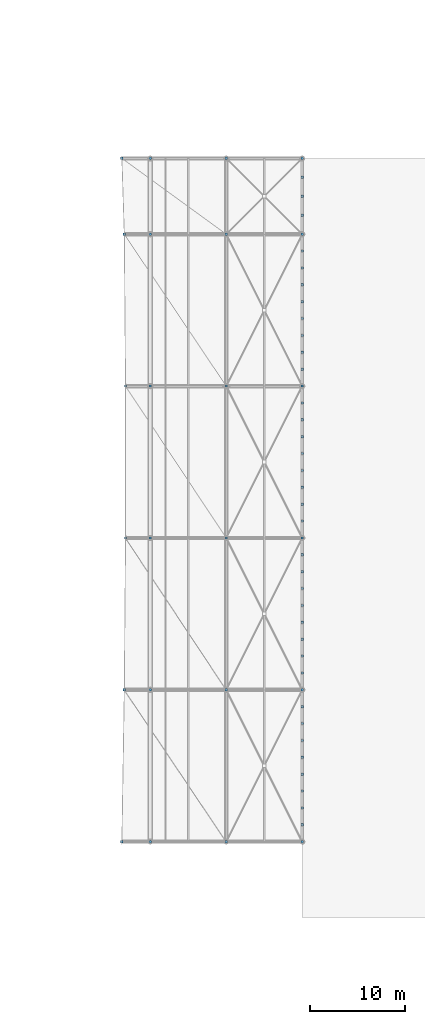
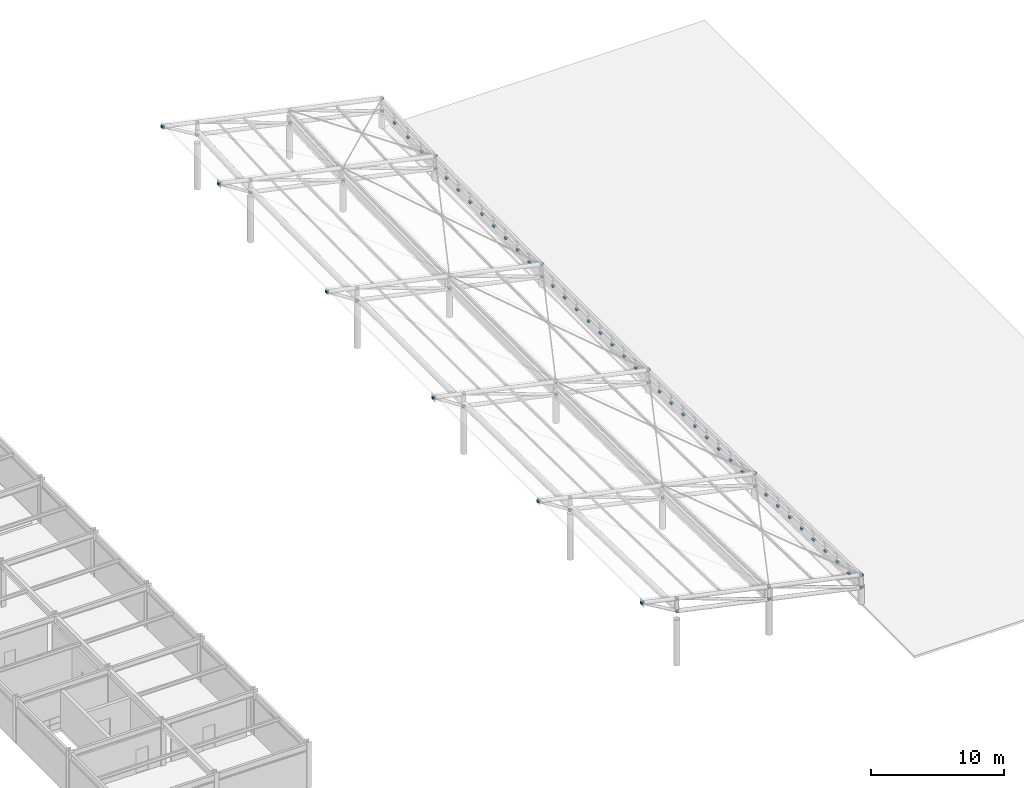
# One storey, part 49 of 54: 77 discrete accessories.
"""IFC4 building model written with IfcOpenShell, lengths in metres."""

from ifc_helpers import new_model, si_unit, direction, frame, origin, origin_2d, place, context, subcontext, project, spatial, rectangle, extrude, material, layer, layer_set, type_object, element, save


model = new_model("IFC4")

# Units and contexts
model_context = context("Model", 3, precision=1e-05, world=origin(), true_north=direction((0.0, 1.0)))
body_context = subcontext(model_context, "Body", "Model", "MODEL_VIEW")
ifc_project = project(units=[si_unit("LENGTHUNIT", "METRE"), si_unit("AREAUNIT", "SQUARE_METRE"), si_unit("VOLUMEUNIT", "CUBIC_METRE"), si_unit("PLANEANGLEUNIT", "RADIAN"), si_unit("MASSUNIT", "GRAM", prefix="KILO")], contexts=[model_context])

# Site, building, storey
site_placement = place(None, origin())
site = spatial("IfcSite", under=ifc_project, at=site_placement, CompositionType="ELEMENT")
building_placement = place(site_placement, origin())
building = spatial("IfcBuilding", under=site, at=building_placement, Name="Haebicheon Civic Stadium", CompositionType="ELEMENT")
storey_placement = place(building_placement, frame((0.0, 0.0, 22.800048828125)))
storey = spatial("IfcBuildingStorey", under=building, at=storey_placement, Name="L06", CompositionType="ELEMENT", Elevation=22.800048828125)

# Discrete accessories
ifc_material = material(Name="White painted steel SM490", Category="steel")
ifc_layer = layer(ifc_material, 0.179931640625, Name="White painted steel SM490")
ifc_layer_set = layer_set([ifc_layer], Name="White painted steel SM490")
discrete_accessory_type = type_object("IfcDiscreteAccessoryType", Name="BRK-END-PLT", PredefinedType="BRACKET", material=ifc_layer_set)
for number, where, z_axis, x_axis, name in (
    (1, (208.0, 56.0, 1.3720703125), (0.0, 0.0, 1.0), (1.0, 0.0, 0.0), "CAN-COMM truss 1 node bolted end connection plate"),
    (2, (208.0, 56.0, 2.52197265625), (0.0, 0.0, 1.0), (1.0, 0.0, 0.0), "CAN-COMM truss 1 node bolted end connection plate"),
    (3, (200.0, 56.0, 3.091796875), (0.0, 0.0, 1.0), (1.0, 0.0, 0.0), "CAN-COMM truss 1 node bolted end connection plate"),
    (4, (200.0, 56.0, 4.2421875), (0.0, 0.0, 1.0), (1.0, 0.0, 0.0), "CAN-COMM truss 1 node bolted end connection plate"),
    (5, (192.0, 56.0, 4.81201171875), (0.0, 0.0, 1.0), (1.0, 0.0, 0.0), "CAN-COMM truss 1 node bolted end connection plate"),
    (6, (192.0, 56.0, 5.9619140625), (0.0, 0.0, 1.0), (1.0, 0.0, 0.0), "CAN-COMM truss 1 node bolted end connection plate"),
    (7, (189.0, 56.0, 6.60693359375), (0.0, 0.0, 1.0), (1.0, 0.0, 0.0), "CAN-COMM truss 1 node bolted end connection plate"),
    (8, (208.0, 72.0, 0.9501953125), (0.0, 0.0, 1.0), (1.0, 0.0, 0.0), "CAN-COMM truss 2 node bolted end connection plate"),
    (9, (208.0, 72.0, 2.10009765625), (0.0, 0.0, 1.0), (1.0, 0.0, 0.0), "CAN-COMM truss 2 node bolted end connection plate"),
    (10, (200.0, 72.0, 2.669921875), (0.0, 0.0, 1.0), (1.0, 0.0, 0.0), "CAN-COMM truss 2 node bolted end connection plate"),
    (11, (200.0, 72.0, 3.81982421875), (0.0, 0.0, 1.0), (1.0, 0.0, 0.0), "CAN-COMM truss 2 node bolted end connection plate"),
    (12, (192.0, 72.0, 4.39013671875), (0.0, 0.0, 1.0), (1.0, 0.0, 0.0), "CAN-COMM truss 2 node bolted end connection plate"),
    (13, (192.0, 72.0, 5.5400390625), (0.0, 0.0, 1.0), (1.0, 0.0, 0.0), "CAN-COMM truss 2 node bolted end connection plate"),
    (14, (189.256103515625, 72.0, 6.1298828125), (0.0, 0.0, 1.0), (1.0, 0.0, 0.0), "CAN-COMM truss 2 node bolted end connection plate"),
    (15, (208.0, 88.0, 0.73779296875), (0.0, 0.0, 1.0), (1.0, 0.0, 0.0), "CAN-COMM truss 3 node bolted end connection plate"),
    (16, (208.0, 88.0, 1.88818359375), (0.0, 0.0, 1.0), (1.0, 0.0, 0.0), "CAN-COMM truss 3 node bolted end connection plate"),
    (17, (200.0, 88.0, 2.4580078125), (0.0, 0.0, 1.0), (1.0, 0.0, 0.0), "CAN-COMM truss 3 node bolted end connection plate"),
    (18, (200.0, 88.0, 3.60791015625), (0.0, 0.0, 1.0), (1.0, 0.0, 0.0), "CAN-COMM truss 3 node bolted end connection plate"),
    (19, (192.0, 88.0, 4.17822265625), (0.0, 0.0, 1.0), (1.0, 0.0, 0.0), "CAN-COMM truss 3 node bolted end connection plate"),
    (20, (192.0, 88.0, 5.328125), (0.0, 0.0, 1.0), (1.0, 0.0, 0.0), "CAN-COMM truss 3 node bolted end connection plate"),
    (21, (189.384033203125, 88.0, 5.89013671875), (0.0, 0.0, 1.0), (1.0, 0.0, 0.0), "CAN-COMM truss 3 node bolted end connection plate"),
    (22, (208.0, 104.0, 0.73779296875), (0.0, 0.0, 1.0), (1.0, 0.0, 0.0), "CAN-COMM truss 4 node bolted end connection plate"),
    (23, (208.0, 104.0, 1.88818359375), (0.0, 0.0, 1.0), (1.0, 0.0, 0.0), "CAN-COMM truss 4 node bolted end connection plate"),
    (24, (200.0, 104.0, 2.4580078125), (0.0, 0.0, 1.0), (1.0, 0.0, 0.0), "CAN-COMM truss 4 node bolted end connection plate"),
    (25, (200.0, 104.0, 3.60791015625), (0.0, 0.0, 1.0), (1.0, 0.0, 0.0), "CAN-COMM truss 4 node bolted end connection plate"),
    (26, (192.0, 104.0, 4.17822265625), (0.0, 0.0, 1.0), (1.0, 0.0, 0.0), "CAN-COMM truss 4 node bolted end connection plate"),
    (27, (192.0, 104.0, 5.328125), (0.0, 0.0, 1.0), (1.0, 0.0, 0.0), "CAN-COMM truss 4 node bolted end connection plate"),
    (28, (189.384033203125, 104.0, 5.89013671875), (0.0, 0.0, 1.0), (1.0, 0.0, 0.0), "CAN-COMM truss 4 node bolted end connection plate"),
    (29, (208.0, 120.0, 0.9501953125), (0.0, 0.0, 1.0), (1.0, 0.0, 0.0), "CAN-COMM truss 5 node bolted end connection plate"),
    (30, (208.0, 120.0, 2.10009765625), (0.0, 0.0, 1.0), (1.0, 0.0, 0.0), "CAN-COMM truss 5 node bolted end connection plate"),
    (31, (200.0, 120.0, 2.669921875), (0.0, 0.0, 1.0), (1.0, 0.0, 0.0), "CAN-COMM truss 5 node bolted end connection plate"),
    (32, (200.0, 120.0, 3.81982421875), (0.0, 0.0, 1.0), (1.0, 0.0, 0.0), "CAN-COMM truss 5 node bolted end connection plate"),
    (33, (192.0, 120.0, 4.39013671875), (0.0, 0.0, 1.0), (1.0, 0.0, 0.0), "CAN-COMM truss 5 node bolted end connection plate"),
    (34, (192.0, 120.0, 5.5400390625), (0.0, 0.0, 1.0), (1.0, 0.0, 0.0), "CAN-COMM truss 5 node bolted end connection plate"),
    (35, (189.256103515625, 120.0, 6.1298828125), (0.0, 0.0, 1.0), (1.0, 0.0, 0.0), "CAN-COMM truss 5 node bolted end connection plate"),
    (36, (208.0, 128.0, 1.3720703125), (0.0, 0.0, 1.0), (1.0, 0.0, 0.0), "CAN-COMM truss 6 node bolted end connection plate"),
    (37, (208.0, 128.0, 2.52197265625), (0.0, 0.0, 1.0), (1.0, 0.0, 0.0), "CAN-COMM truss 6 node bolted end connection plate"),
    (38, (200.0, 128.0, 3.091796875), (0.0, 0.0, 1.0), (1.0, 0.0, 0.0), "CAN-COMM truss 6 node bolted end connection plate"),
    (39, (200.0, 128.0, 4.2421875), (0.0, 0.0, 1.0), (1.0, 0.0, 0.0), "CAN-COMM truss 6 node bolted end connection plate"),
    (40, (192.0, 128.0, 4.81201171875), (0.0, 0.0, 1.0), (1.0, 0.0, 0.0), "CAN-COMM truss 6 node bolted end connection plate"),
    (41, (192.0, 128.0, 5.9619140625), (0.0, 0.0, 1.0), (1.0, 0.0, 0.0), "CAN-COMM truss 6 node bolted end connection plate"),
    (42, (189.0, 128.0, 6.60693359375), (0.0, 0.0, 1.0), (1.0, 0.0, 0.0), "CAN-COMM truss 6 node bolted end connection plate"),
    (43, (208.0, 57.778076171875, 1.5751953125), (0.0, 0.0, 1.0), (1.0, 0.0, 0.0), "CAN-COMM hanger base 1.1 bolted end connection plate"),
    (44, (208.0, 59.555908203125, 1.52783203125), (0.0, 0.0, 1.0), (1.0, 0.0, 0.0), "CAN-COMM hanger base 1.2 bolted end connection plate"),
    (45, (208.0, 61.3330078125, 1.48095703125), (0.0, 0.0, 1.0), (1.0, 0.0, 0.0), "CAN-COMM hanger base 1.3 bolted end connection plate"),
    (46, (208.0, 63.111083984375, 1.43408203125), (0.0, 0.0, 1.0), (1.0, 0.0, 0.0), "CAN-COMM hanger base 1.4 bolted end connection plate"),
    (47, (208.0, 64.888916015625, 1.38818359375), (0.0, 0.0, 1.0), (1.0, 0.0, 0.0), "CAN-COMM hanger base 1.5 bolted end connection plate"),
    (48, (208.0, 66.6669921875, 1.3408203125), (0.0, 0.0, 1.0), (1.0, 0.0, 0.0), "CAN-COMM hanger base 1.6 bolted end connection plate"),
    (49, (208.0, 68.444091796875, 1.2939453125), (0.0, 0.0, 1.0), (1.0, 0.0, 0.0), "CAN-COMM hanger base 1.7 bolted end connection plate"),
    (50, (208.0, 70.221923828125, 1.2470703125), (0.0, 0.0, 1.0), (1.0, 0.0, 0.0), "CAN-COMM hanger base 1.8 bolted end connection plate"),
    (51, (208.0, 73.778076171875, 1.17578125), (0.0, 0.0, 1.0), (1.0, 0.0, 0.0), "CAN-COMM hanger base 2.1 bolted end connection plate"),
    (52, (208.0, 75.555908203125, 1.15283203125), (0.0, 0.0, 1.0), (1.0, 0.0, 0.0), "CAN-COMM hanger base 2.2 bolted end connection plate"),
    (53, (208.0, 77.3330078125, 1.12890625), (0.0, 0.0, 1.0), (1.0, 0.0, 0.0), "CAN-COMM hanger base 2.3 bolted end connection plate"),
    (54, (208.0, 79.111083984375, 1.10595703125), (0.0, 0.0, 1.0), (1.0, 0.0, 0.0), "CAN-COMM hanger base 2.4 bolted end connection plate"),
    (55, (208.0, 80.888916015625, 1.08203125), (0.0, 0.0, 1.0), (1.0, 0.0, 0.0), "CAN-COMM hanger base 2.5 bolted end connection plate"),
    (56, (208.0, 82.6669921875, 1.05908203125), (0.0, 0.0, 1.0), (1.0, 0.0, 0.0), "CAN-COMM hanger base 2.6 bolted end connection plate"),
    (57, (208.0, 84.444091796875, 1.03515625), (0.0, 0.0, 1.0), (1.0, 0.0, 0.0), "CAN-COMM hanger base 2.7 bolted end connection plate"),
    (58, (208.0, 86.221923828125, 1.01220703125), (0.0, 0.0, 1.0), (1.0, 0.0, 0.0), "CAN-COMM hanger base 2.8 bolted end connection plate"),
    (59, (208.0, 89.778076171875, 0.98779296875), (0.0, 0.0, 1.0), (1.0, 0.0, 0.0), "CAN-COMM hanger base 3.1 bolted end connection plate"),
    (60, (208.0, 91.555908203125, 0.98779296875), (0.0, 0.0, 1.0), (1.0, 0.0, 0.0), "CAN-COMM hanger base 3.2 bolted end connection plate"),
    (61, (208.0, 93.3330078125, 0.98779296875), (0.0, 0.0, 1.0), (1.0, 0.0, 0.0), "CAN-COMM hanger base 3.3 bolted end connection plate"),
    (62, (208.0, 95.111083984375, 0.98779296875), (0.0, 0.0, 1.0), (1.0, 0.0, 0.0), "CAN-COMM hanger base 3.4 bolted end connection plate"),
    (63, (208.0, 96.888916015625, 0.98779296875), (0.0, 0.0, 1.0), (1.0, 0.0, 0.0), "CAN-COMM hanger base 3.5 bolted end connection plate"),
    (64, (208.0, 98.6669921875, 0.98779296875), (0.0, 0.0, 1.0), (1.0, 0.0, 0.0), "CAN-COMM hanger base 3.6 bolted end connection plate"),
    (65, (208.0, 100.444091796875, 0.98779296875), (0.0, 0.0, 1.0), (1.0, 0.0, 0.0), "CAN-COMM hanger base 3.7 bolted end connection plate"),
    (66, (208.0, 102.221923828125, 0.98779296875), (0.0, 0.0, 1.0), (1.0, 0.0, 0.0), "CAN-COMM hanger base 3.8 bolted end connection plate"),
    (67, (208.0, 105.778076171875, 1.01220703125), (0.0, 0.0, 1.0), (1.0, 0.0, 0.0), "CAN-COMM hanger base 4.1 bolted end connection plate"),
    (68, (208.0, 107.555908203125, 1.03515625), (0.0, 0.0, 1.0), (1.0, 0.0, 0.0), "CAN-COMM hanger base 4.2 bolted end connection plate"),
    (69, (208.0, 109.3330078125, 1.05908203125), (0.0, 0.0, 1.0), (1.0, 0.0, 0.0), "CAN-COMM hanger base 4.3 bolted end connection plate"),
    (70, (208.0, 111.111083984375, 1.08203125), (0.0, 0.0, 1.0), (1.0, 0.0, 0.0), "CAN-COMM hanger base 4.4 bolted end connection plate"),
    (71, (208.0, 112.888916015625, 1.10595703125), (0.0, 0.0, 1.0), (1.0, 0.0, 0.0), "CAN-COMM hanger base 4.5 bolted end connection plate"),
    (72, (208.0, 114.6669921875, 1.12890625), (0.0, 0.0, 1.0), (1.0, 0.0, 0.0), "CAN-COMM hanger base 4.6 bolted end connection plate"),
    (73, (208.0, 116.444091796875, 1.15283203125), (0.0, 0.0, 1.0), (1.0, 0.0, 0.0), "CAN-COMM hanger base 4.7 bolted end connection plate"),
    (74, (208.0, 118.221923828125, 1.17578125), (0.0, 0.0, 1.0), (1.0, 0.0, 0.0), "CAN-COMM hanger base 4.8 bolted end connection plate"),
    (75, (208.0, 122.0, 1.30615234375), (0.0, 0.0, 1.0), (1.0, 0.0, 0.0), "CAN-COMM hanger base 5.1 bolted end connection plate"),
    (76, (208.0, 124.0, 1.4111328125), (0.0, 0.0, 1.0), (1.0, 0.0, 0.0), "CAN-COMM hanger base 5.2 bolted end connection plate"),
    (77, (208.0, 126.0, 1.51611328125), (0.0, 0.0, 1.0), (1.0, 0.0, 0.0), "CAN-COMM hanger base 5.3 bolted end connection plate"),
):
    element("IfcDiscreteAccessory", number, at=place(storey_placement, frame(where, z_axis=z_axis, x_axis=x_axis)), inside=storey, type_object=discrete_accessory_type, material=ifc_layer_set, Name=name, PredefinedType="BRACKET", context=body_context, shape_type="SweptSolid", body=[
        extrude(rectangle(XDim=0.239990234375, YDim=0.239990234375, at=origin_2d()), origin(), (0.0, 0.0, 1.0), 0.179931640625),
    ])

save(model, "model.ifc")
